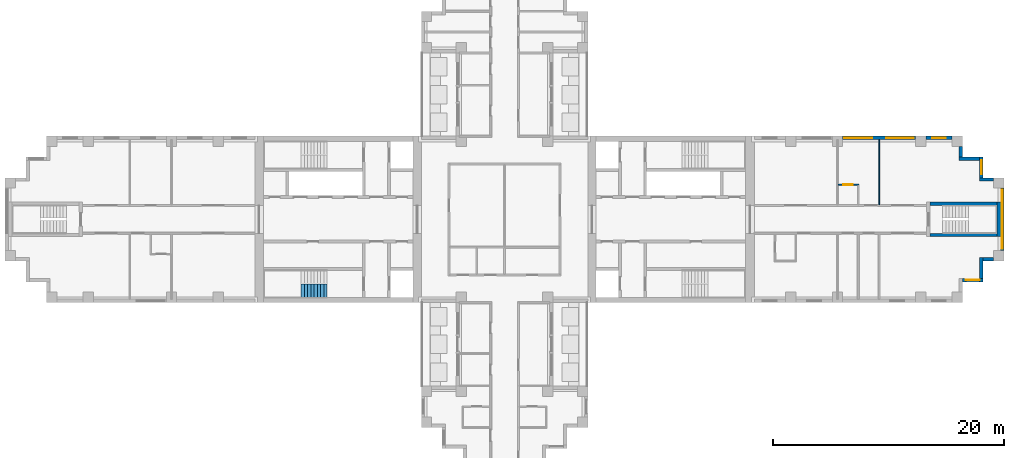
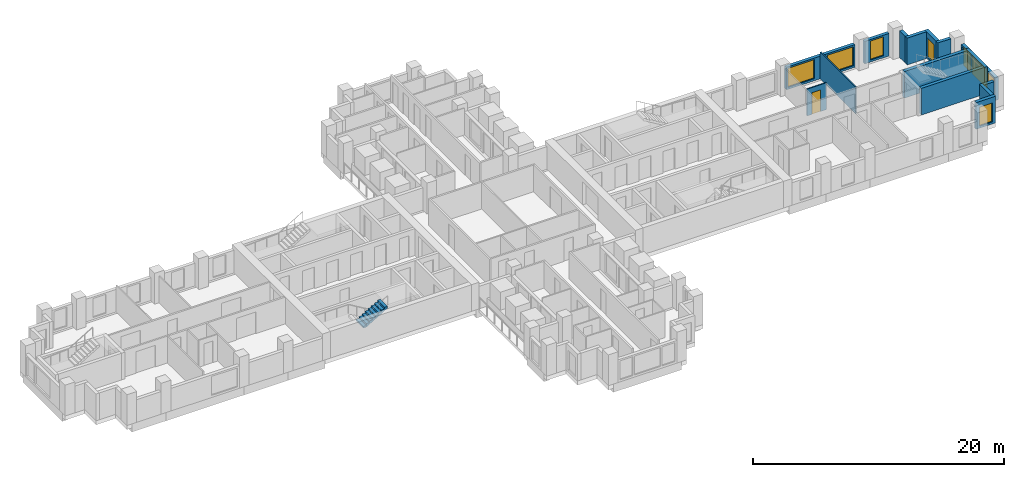
# One storey, part 9 of 12: 15 walls, 8 windows, 1 door, 1 stair flight, 9 openings, 1 element without a shape of its own.
"""IFC4 building model written with IfcOpenShell, lengths in metres."""

from ifc_helpers import new_model, si_unit, direction, frame, frame_2d, origin, place, context, subcontext, project, spatial, polyline, rectangle, outline, extrude, material, layer, layer_set, type_object, element, fill, aggregate, save


model = new_model("IFC4")

# Units and contexts
model_context = context("Model", 3, precision=1e-05, world=origin(), true_north=direction((0.0, 1.0)))
body_context = subcontext(model_context, "Body", "Model", "MODEL_VIEW")
ifc_project = project(units=[si_unit("LENGTHUNIT", "METRE"), si_unit("AREAUNIT", "SQUARE_METRE"), si_unit("VOLUMEUNIT", "CUBIC_METRE"), si_unit("PLANEANGLEUNIT", "RADIAN"), si_unit("MASSUNIT", "GRAM", prefix="KILO")], contexts=[model_context])

# Site, building, storey
site_placement = place(None, origin())
site = spatial("IfcSite", under=ifc_project, at=site_placement, CompositionType="ELEMENT")
building_placement = place(site_placement, origin())
building = spatial("IfcBuilding", under=site, at=building_placement, Name="Fustian Cross Tower", CompositionType="ELEMENT")
storey_placement = place(building_placement, frame((0.0, 0.0, 156.300048828125)))
storey = spatial("IfcBuildingStorey", under=building, at=storey_placement, Name="L49", CompositionType="ELEMENT", Elevation=156.300048828125)

# Wall, opening, door
ifc_material_1 = material(Name="Plasterboard on steel stud", Category="steel")
ifc_layer_1 = layer(ifc_material_1, 0.10009765625)
ifc_layer_set_1 = layer_set([ifc_layer_1], Name="Plasterboard on steel stud")
wall_type_1 = type_object("IfcWallType", Name="PARTITION 100 STUD", PredefinedType="PARTITIONING", material=ifc_layer_set_1)
wall_1_placement = place(storey_placement, frame((28.862548828125, 3.0, 0.0), z_axis=(0.0, 0.0, 1.0), x_axis=(1.0, 0.0, 0.0)))
wall_1 = element("IfcWall", 1, at=wall_1_placement, inside=storey, type_object=wall_type_1, Name="Partition 53", PredefinedType="PARTITIONING", context=body_context, shape_type="SweptSolid", body=[
    extrude(rectangle(XDim=1.787353515625, YDim=0.10009765625, at=frame_2d((0.8935546875, 0.0))), origin(), (0.0, 0.0, 1.0), 2.599853515625),
])
opening_1_placement = place(wall_1_placement, frame((0.4375, 0.0, 0.0)))
opening_1 = element("IfcOpeningElement", 2, at=opening_1_placement, cuts=wall_1, Name="Opening D22007", PredefinedType="OPENING", context=body_context, shape_type="SweptSolid", body=[
    extrude(rectangle(XDim=0.800048828125, YDim=2.10009765625, at=frame_2d((0.39990234375, 1.050048828125))), frame((0.0, 0.06005859375, 0.0), z_axis=(0.0, -1.0, 0.0), x_axis=(1.0, 0.0, 0.0)), (0.0, 0.0, 1.0), 0.1201171875),
])
ifc_material_2 = material(Name="Painted timber", Category="wood")
door_type = type_object("IfcDoorType", Name="SWING DOOR 800", OperationType="SINGLE_SWING_LEFT", PredefinedType="DOOR", material=ifc_material_2)
door_placement = place(opening_1_placement, frame((0.800048828125, 0.0, 0.0), z_axis=(0.0, 0.0, 1.0), x_axis=(-1.0, 0.0, 0.0)))
door = element("IfcDoor", 3, at=door_placement, inside=storey, type_object=door_type, Name="Door D22007", OperationType="SINGLE_SWING_LEFT", OverallHeight=2.10009765625, OverallWidth=0.800048828125, PredefinedType="DOOR", context=body_context, shape_type="SweptSolid", body=[
    extrude(rectangle(XDim=0.800048828125, YDim=2.10009765625, at=frame_2d((0.39990234375, 1.050048828125))), frame((0.0, 0.02490234375, 0.0), z_axis=(0.0, -1.0, 0.0), x_axis=(1.0, 0.0, 0.0)), (0.0, 0.0, 1.0), 0.050048828125),
])
fill(opening_1, door)

# Walls
wall_2_placement = place(storey_placement, frame((32.39990234375, 1.27490234375, 0.0), z_axis=(0.0, 0.0, 1.0), x_axis=(0.0, 1.0, 0.0)))
element("IfcWall", 4, at=wall_2_placement, inside=storey, type_object=wall_type_1, Name="Partition 57", PredefinedType="PARTITIONING", context=body_context, shape_type="SweptSolid", body=[
    extrude(rectangle(XDim=5.625, YDim=0.10009765625, at=frame_2d((2.8125, 0.0))), origin(), (0.0, 0.0, 1.0), 2.599853515625),
])
ifc_material_3 = material(Name="Concrete C50/60", Category="concrete")
ifc_layer_2 = layer(ifc_material_3, 0.300048828125)
ifc_layer_set_2 = layer_set([ifc_layer_2], Name="Concrete C50/60")
wall_type_2 = type_object("IfcWallType", Name="STAIR ENCLOSURE WALL 300 C50/60", PredefinedType="SHEAR", material=ifc_layer_set_2)
wall_3_placement = place(storey_placement, frame((42.75, -1.5, 0.0), z_axis=(0.0, 0.0, 1.0), x_axis=(0.0, 1.0, 0.0)))
element("IfcWall", 5, at=wall_3_placement, inside=storey, type_object=wall_type_2, Name="Stair enclosure wall", PredefinedType="SHEAR", context=body_context, shape_type="SweptSolid", body=[
    extrude(rectangle(XDim=3.0, YDim=0.300048828125, at=frame_2d((1.5, 0.0))), origin(), (0.0, 0.0, 1.0), 2.599853515625),
])
for number, where, z_axis, x_axis, name in (
    (6, (36.800048828125, -1.35009765625, 0.0), (0.0, 0.0, 1.0), (1.0, 0.0, 0.0), "Stair enclosure wall"),
    (7, (36.800048828125, 1.35009765625, 0.0), (0.0, 0.0, 1.0), (1.0, 0.0, 0.0), "Stair enclosure wall"),
):
    element("IfcWall", number, at=place(storey_placement, frame(where, z_axis=z_axis, x_axis=x_axis)), inside=storey, type_object=wall_type_2, Name=name, PredefinedType="SHEAR", context=body_context, shape_type="SweptSolid", body=[
        extrude(rectangle(XDim=5.800048828125, YDim=0.300048828125, at=frame_2d((2.89990234375, 0.0))), origin(), (0.0, 0.0, 1.0), 2.599853515625),
    ])

# Wall, opening, window
ifc_material_4 = material(Name="Dark aluminium cladding on insulated backing wall", Category="aluminium")
ifc_layer_3 = layer(ifc_material_4, 0.300048828125)
ifc_layer_set_3 = layer_set([ifc_layer_3], Name="Dark aluminium cladding on insulated backing wall")
wall_type_3 = type_object("IfcWallType", Name="XW1 EXTERNAL WALL 300", PredefinedType="SOLIDWALL", material=ifc_layer_set_3)
wall_4_placement = place(storey_placement, frame((39.60009765625, -5.25, 0.0), z_axis=(0.0, 0.0, 1.0), x_axis=(1.0, 0.0, 0.0)))
wall_4 = element("IfcWall", 8, at=wall_4_placement, inside=storey, type_object=wall_type_3, Name="External wall", PredefinedType="SOLIDWALL", context=body_context, shape_type="SweptSolid", body=[
    extrude(rectangle(XDim=1.7998046875, YDim=0.300048828125, at=frame_2d((0.89990234375, 0.0))), origin(), (0.0, 0.0, 1.0), 2.599853515625),
])
opening_2_placement = place(wall_4_placement, frame((0.300048828125, 0.0, 0.199951171875)))
opening_2 = element("IfcOpeningElement", 9, at=opening_2_placement, cuts=wall_4, Name="Opening WN3", PredefinedType="OPENING", context=body_context, shape_type="SweptSolid", body=[
    extrude(rectangle(XDim=1.199951171875, YDim=1.85009765625, at=frame_2d((0.60009765625, 0.925048828125))), frame((0.0, 0.159912109375, 0.0), z_axis=(0.0, -1.0, 0.0), x_axis=(1.0, 0.0, 0.0)), (0.0, 0.0, 1.0), 0.320068359375),
])
ifc_material_5 = material(Name="Dark anodised aluminium and double glazing", Category="aluminium")
window_type_1 = type_object("IfcWindowType", Name="WN3 WINDOW 1200X1850", PartitioningType="SINGLE_PANEL", PredefinedType="WINDOW", material=ifc_material_5)
window_1_placement = place(opening_2_placement, origin())
window_1 = element("IfcWindow", 10, at=window_1_placement, inside=storey, type_object=window_type_1, Name="Window", OverallHeight=1.85009765625, OverallWidth=1.199951171875, PartitioningType="SINGLE_PANEL", PredefinedType="WINDOW", context=body_context, shape_type="SweptSolid", body=[
    extrude(rectangle(XDim=1.199951171875, YDim=1.85009765625, at=frame_2d((0.60009765625, 0.925048828125))), frame((0.0, 0.030029296875, 0.0), z_axis=(0.0, -1.0, 0.0), x_axis=(1.0, 0.0, 0.0)), (0.0, 0.0, 1.0), 0.06005859375),
])
fill(opening_2, window_1)

# Walls
wall_5_placement = place(storey_placement, frame((41.25, -5.10009765625, 0.0), z_axis=(0.0, 0.0, 1.0), x_axis=(0.0, 1.0, 0.0)))
element("IfcWall", 11, at=wall_5_placement, inside=storey, type_object=wall_type_3, Name="External wall", PredefinedType="SOLIDWALL", context=body_context, shape_type="SweptSolid", body=[
    extrude(rectangle(XDim=1.800048828125, YDim=0.300048828125, at=frame_2d((0.89990234375, 0.0))), origin(), (0.0, 0.0, 1.0), 2.599853515625),
])
wall_6_placement = place(storey_placement, frame((41.39990234375, -3.449951171875, 0.0), z_axis=(0.0, 0.0, 1.0), x_axis=(1.0, 0.0, 0.0)))
element("IfcWall", 12, at=wall_6_placement, inside=storey, type_object=wall_type_3, Name="External wall", PredefinedType="SOLIDWALL", context=body_context, shape_type="SweptSolid", body=[
    extrude(rectangle(XDim=0.900146484375, YDim=0.300048828125, at=frame_2d((0.4501953125, 0.0))), origin(), (0.0, 0.0, 1.0), 2.599853515625),
])

# Wall, openings, windows
wall_7_placement = place(storey_placement, frame((43.050048828125, -2.699951171875, 0.0), z_axis=(0.0, 0.0, 1.0), x_axis=(0.0, 1.0, 0.0)))
wall_7 = element("IfcWall", 13, at=wall_7_placement, inside=storey, type_object=wall_type_3, Name="External wall", PredefinedType="SOLIDWALL", context=body_context, shape_type="SweptSolid", body=[
    extrude(rectangle(XDim=5.39990234375, YDim=0.300048828125, at=frame_2d((2.699951171875, 0.0))), origin(), (0.0, 0.0, 1.0), 2.199951171875),
])
opening_3_placement = place(wall_7_placement, frame((1.5, 0.0, 0.199951171875)))
opening_3 = element("IfcOpeningElement", 14, at=opening_3_placement, cuts=wall_7, Name="Opening WN1", PredefinedType="OPENING", context=body_context, shape_type="SweptSolid", body=[
    extrude(rectangle(XDim=2.39990234375, YDim=1.85009765625, at=frame_2d((1.199951171875, 0.925048828125))), frame((0.0, 0.159912109375, 0.0), z_axis=(0.0, -1.0, 0.0), x_axis=(1.0, 0.0, 0.0)), (0.0, 0.0, 1.0), 0.320068359375),
])
opening_4_placement = place(wall_7_placement, frame((0.14990234375, 0.0, 0.199951171875)))
opening_4 = element("IfcOpeningElement", 15, at=opening_4_placement, cuts=wall_7, Name="Opening WN3", PredefinedType="OPENING", context=body_context, shape_type="SweptSolid", body=[
    extrude(rectangle(XDim=1.199951171875, YDim=1.85009765625, at=frame_2d((0.60009765625, 0.925048828125))), frame((0.0, 0.159912109375, 0.0), z_axis=(0.0, -1.0, 0.0), x_axis=(1.0, 0.0, 0.0)), (0.0, 0.0, 1.0), 0.320068359375),
])
opening_5_placement = place(wall_7_placement, frame((4.050048828125, 0.0, 0.199951171875)))
opening_5 = element("IfcOpeningElement", 16, at=opening_5_placement, cuts=wall_7, Name="Opening WN3", PredefinedType="OPENING", context=body_context, shape_type="SweptSolid", body=[
    extrude(rectangle(XDim=1.199951171875, YDim=1.85009765625, at=frame_2d((0.60009765625, 0.925048828125))), frame((0.0, 0.159912109375, 0.0), z_axis=(0.0, -1.0, 0.0), x_axis=(1.0, 0.0, 0.0)), (0.0, 0.0, 1.0), 0.320068359375),
])
ifc_material_6 = material(Name="Dark anodised aluminium and double glazing", Category="aluminium")
window_type_2 = type_object("IfcWindowType", Name="WN1 WINDOW 2400X1850", PartitioningType="SINGLE_PANEL", PredefinedType="WINDOW", material=ifc_material_6)
window_2_placement = place(opening_3_placement, origin())
window_2 = element("IfcWindow", 17, at=window_2_placement, inside=storey, type_object=window_type_2, Name="Window", OverallHeight=1.85009765625, OverallWidth=2.39990234375, PartitioningType="SINGLE_PANEL", PredefinedType="WINDOW", context=body_context, shape_type="SweptSolid", body=[
    extrude(rectangle(XDim=2.39990234375, YDim=1.85009765625, at=frame_2d((1.199951171875, 0.925048828125))), frame((0.0, 0.030029296875, 0.0), z_axis=(0.0, -1.0, 0.0), x_axis=(1.0, 0.0, 0.0)), (0.0, 0.0, 1.0), 0.06005859375),
])
fill(opening_3, window_2)
window_3_placement = place(opening_4_placement, origin())
window_3 = element("IfcWindow", 18, at=window_3_placement, inside=storey, type_object=window_type_1, Name="Window", OverallHeight=1.85009765625, OverallWidth=1.199951171875, PartitioningType="SINGLE_PANEL", PredefinedType="WINDOW", context=body_context, shape_type="SweptSolid", body=[
    extrude(rectangle(XDim=1.199951171875, YDim=1.85009765625, at=frame_2d((0.60009765625, 0.925048828125))), frame((0.0, 0.030029296875, 0.0), z_axis=(0.0, -1.0, 0.0), x_axis=(1.0, 0.0, 0.0)), (0.0, 0.0, 1.0), 0.06005859375),
])
fill(opening_4, window_3)
window_4_placement = place(opening_5_placement, origin())
window_4 = element("IfcWindow", 19, at=window_4_placement, inside=storey, type_object=window_type_1, Name="Window", OverallHeight=1.85009765625, OverallWidth=1.199951171875, PartitioningType="SINGLE_PANEL", PredefinedType="WINDOW", context=body_context, shape_type="SweptSolid", body=[
    extrude(rectangle(XDim=1.199951171875, YDim=1.85009765625, at=frame_2d((0.60009765625, 0.925048828125))), frame((0.0, 0.030029296875, 0.0), z_axis=(0.0, -1.0, 0.0), x_axis=(1.0, 0.0, 0.0)), (0.0, 0.0, 1.0), 0.06005859375),
])
fill(opening_5, window_4)

# Wall
wall_8_placement = place(storey_placement, frame((42.300048828125, 3.449951171875, 0.0), z_axis=(0.0, 0.0, 1.0), x_axis=(-1.0, 0.0, 0.0)))
element("IfcWall", 20, at=wall_8_placement, inside=storey, type_object=wall_type_3, Name="External wall", PredefinedType="SOLIDWALL", context=body_context, shape_type="SweptSolid", body=[
    extrude(rectangle(XDim=1.199951171875, YDim=0.300048828125, at=frame_2d((0.60009765625, 0.0))), origin(), (0.0, 0.0, 1.0), 2.599853515625),
])

# Wall, opening, window
wall_9_placement = place(storey_placement, frame((41.25, 3.60009765625, 0.0), z_axis=(0.0, 0.0, 1.0), x_axis=(0.0, 1.0, 0.0)))
wall_9 = element("IfcWall", 21, at=wall_9_placement, inside=storey, type_object=wall_type_3, Name="External wall", PredefinedType="SOLIDWALL", context=body_context, shape_type="SweptSolid", body=[
    extrude(rectangle(XDim=1.7998046875, YDim=0.300048828125, at=frame_2d((0.89990234375, 0.0))), origin(), (0.0, 0.0, 1.0), 2.599853515625),
])
opening_6_placement = place(wall_9_placement, frame((0.300048828125, 0.0, 0.199951171875)))
opening_6 = element("IfcOpeningElement", 22, at=opening_6_placement, cuts=wall_9, Name="Opening WN3", PredefinedType="OPENING", context=body_context, shape_type="SweptSolid", body=[
    extrude(rectangle(XDim=1.199951171875, YDim=1.85009765625, at=frame_2d((0.60009765625, 0.925048828125))), frame((0.0, 0.159912109375, 0.0), z_axis=(0.0, -1.0, 0.0), x_axis=(1.0, 0.0, 0.0)), (0.0, 0.0, 1.0), 0.320068359375),
])
window_5_placement = place(opening_6_placement, origin())
window_5 = element("IfcWindow", 23, at=window_5_placement, inside=storey, type_object=window_type_1, Name="Window", OverallHeight=1.85009765625, OverallWidth=1.199951171875, PartitioningType="SINGLE_PANEL", PredefinedType="WINDOW", context=body_context, shape_type="SweptSolid", body=[
    extrude(rectangle(XDim=1.199951171875, YDim=1.85009765625, at=frame_2d((0.60009765625, 0.925048828125))), frame((0.0, 0.030029296875, 0.0), z_axis=(0.0, -1.0, 0.0), x_axis=(1.0, 0.0, 0.0)), (0.0, 0.0, 1.0), 0.06005859375),
])
fill(opening_6, window_5)

# Walls
wall_10_placement = place(storey_placement, frame((41.10009765625, 5.25, 0.0), z_axis=(0.0, 0.0, 1.0), x_axis=(-1.0, 0.0, 0.0)))
element("IfcWall", 24, at=wall_10_placement, inside=storey, type_object=wall_type_3, Name="External wall", PredefinedType="SOLIDWALL", context=body_context, shape_type="SweptSolid", body=[
    extrude(rectangle(XDim=1.800048828125, YDim=0.300048828125, at=frame_2d((0.89990234375, 0.0))), origin(), (0.0, 0.0, 1.0), 2.599853515625),
])
wall_11_placement = place(storey_placement, frame((39.449951171875, 5.39990234375, 0.0), z_axis=(0.0, 0.0, 1.0), x_axis=(0.0, 1.0, 0.0)))
element("IfcWall", 25, at=wall_11_placement, inside=storey, type_object=wall_type_3, Name="External wall", PredefinedType="SOLIDWALL", context=body_context, shape_type="SweptSolid", body=[
    extrude(rectangle(XDim=0.900146484375, YDim=0.300048828125, at=frame_2d((0.4501953125, 0.0))), origin(), (0.0, 0.0, 1.0), 2.599853515625),
])

# Wall, opening, window
wall_12_placement = place(storey_placement, frame((38.699951171875, 7.050048828125, 0.0), z_axis=(0.0, 0.0, 1.0), x_axis=(-1.0, 0.0, 0.0)))
wall_12 = element("IfcWall", 26, at=wall_12_placement, inside=storey, type_object=wall_type_3, Name="External wall", PredefinedType="SOLIDWALL", context=body_context, shape_type="SweptSolid", body=[
    extrude(rectangle(XDim=2.25, YDim=0.300048828125, at=frame_2d((1.125, 0.0))), origin(), (0.0, 0.0, 1.0), 2.199951171875),
])
opening_7_placement = place(wall_12_placement, frame((0.52490234375, 0.0, 0.199951171875)))
opening_7 = element("IfcOpeningElement", 27, at=opening_7_placement, cuts=wall_12, Name="Opening WN3", PredefinedType="OPENING", context=body_context, shape_type="SweptSolid", body=[
    extrude(rectangle(XDim=1.199951171875, YDim=1.85009765625, at=frame_2d((0.60009765625, 0.925048828125))), frame((0.0, 0.159912109375, 0.0), z_axis=(0.0, -1.0, 0.0), x_axis=(1.0, 0.0, 0.0)), (0.0, 0.0, 1.0), 0.320068359375),
])
window_6_placement = place(opening_7_placement, origin())
window_6 = element("IfcWindow", 28, at=window_6_placement, inside=storey, type_object=window_type_1, Name="Window", OverallHeight=1.85009765625, OverallWidth=1.199951171875, PartitioningType="SINGLE_PANEL", PredefinedType="WINDOW", context=body_context, shape_type="SweptSolid", body=[
    extrude(rectangle(XDim=1.199951171875, YDim=1.85009765625, at=frame_2d((0.60009765625, 0.925048828125))), frame((0.0, 0.030029296875, 0.0), z_axis=(0.0, -1.0, 0.0), x_axis=(1.0, 0.0, 0.0)), (0.0, 0.0, 1.0), 0.06005859375),
])
fill(opening_7, window_6)

# Wall, openings, windows
wall_13_placement = place(storey_placement, frame((35.550048828125, 7.050048828125, 0.0), z_axis=(0.0, 0.0, 1.0), x_axis=(-1.0, 0.0, 0.0)))
wall_13 = element("IfcWall", 29, at=wall_13_placement, inside=storey, type_object=wall_type_3, Name="External wall", PredefinedType="SOLIDWALL", context=body_context, shape_type="SweptSolid", body=[
    extrude(rectangle(XDim=6.300048828125, YDim=0.300048828125, at=frame_2d((3.14990234375, 0.0))), origin(), (0.0, 0.0, 1.0), 2.199951171875),
])
opening_8_placement = place(wall_13_placement, frame((0.14990234375, 0.0, 0.199951171875)))
opening_8 = element("IfcOpeningElement", 30, at=opening_8_placement, cuts=wall_13, Name="Opening WN1", PredefinedType="OPENING", context=body_context, shape_type="SweptSolid", body=[
    extrude(rectangle(XDim=2.39990234375, YDim=1.85009765625, at=frame_2d((1.199951171875, 0.925048828125))), frame((0.0, 0.159912109375, 0.0), z_axis=(0.0, -1.0, 0.0), x_axis=(1.0, 0.0, 0.0)), (0.0, 0.0, 1.0), 0.320068359375),
])
opening_9_placement = place(wall_13_placement, frame((3.75, 0.0, 0.199951171875)))
opening_9 = element("IfcOpeningElement", 31, at=opening_9_placement, cuts=wall_13, Name="Opening WN1", PredefinedType="OPENING", context=body_context, shape_type="SweptSolid", body=[
    extrude(rectangle(XDim=2.39990234375, YDim=1.85009765625, at=frame_2d((1.199951171875, 0.925048828125))), frame((0.0, 0.159912109375, 0.0), z_axis=(0.0, -1.0, 0.0), x_axis=(1.0, 0.0, 0.0)), (0.0, 0.0, 1.0), 0.320068359375),
])
window_7_placement = place(opening_8_placement, origin())
window_7 = element("IfcWindow", 32, at=window_7_placement, inside=storey, type_object=window_type_2, Name="Window", OverallHeight=1.85009765625, OverallWidth=2.39990234375, PartitioningType="SINGLE_PANEL", PredefinedType="WINDOW", context=body_context, shape_type="SweptSolid", body=[
    extrude(rectangle(XDim=2.39990234375, YDim=1.85009765625, at=frame_2d((1.199951171875, 0.925048828125))), frame((0.0, 0.030029296875, 0.0), z_axis=(0.0, -1.0, 0.0), x_axis=(1.0, 0.0, 0.0)), (0.0, 0.0, 1.0), 0.06005859375),
])
fill(opening_8, window_7)
window_8_placement = place(opening_9_placement, origin())
window_8 = element("IfcWindow", 33, at=window_8_placement, inside=storey, type_object=window_type_2, Name="Window", OverallHeight=1.85009765625, OverallWidth=2.39990234375, PartitioningType="SINGLE_PANEL", PredefinedType="WINDOW", context=body_context, shape_type="SweptSolid", body=[
    extrude(rectangle(XDim=2.39990234375, YDim=1.85009765625, at=frame_2d((1.199951171875, 0.925048828125))), frame((0.0, 0.030029296875, 0.0), z_axis=(0.0, -1.0, 0.0), x_axis=(1.0, 0.0, 0.0)), (0.0, 0.0, 1.0), 0.06005859375),
])
fill(opening_9, window_8)

# Stair, stair flight
ifc_material_7 = material(Name="Concrete C50/60", Category="concrete")
stair_type = type_object("IfcStairType", Name="STAIR 1150 HALF TURN", PredefinedType="HALF_TURN_STAIR", material=ifc_material_7)
stair_placement = place(storey_placement, origin())
stair = element("IfcStair", 34, at=stair_placement, inside=storey, type_object=stair_type, Name="Stair ST4", PredefinedType="HALF_TURN_STAIR")
ifc_material_8 = material(Name="Concrete C50/60", Category="concrete")
stair_flight_type = type_object("IfcStairFlightType", Name="STAIR FLIGHT 1150", PredefinedType="STRAIGHT", material=ifc_material_8)
stair_flight_placement = place(storey_placement, frame((-17.590087890625, -6.175048828125, 1.5), z_axis=(0.0, 0.0, 1.0), x_axis=(1.0, 0.0, 0.0)))
stair_flight = element("IfcStairFlight", 35, at=stair_flight_placement, type_object=stair_flight_type, Name="ST4 flight 2", NumberOfRisers=9, NumberOfTreads=8, PredefinedType="STRAIGHT", RiserHeight=0.166666667, TreadLength=0.28, context=body_context, shape_type="SweptSolid", body=[
    extrude(outline(polyline([(0.0, 0.0), (0.0, 0.166748046875), (0.280029296875, 0.166748046875), (0.280029296875, 0.333251953125), (0.56005859375, 0.333251953125), (0.56005859375, 0.5), (0.840087890625, 0.5), (0.840087890625, 0.666748046875), (1.1201171875, 0.666748046875), (1.1201171875, 0.833251953125), (1.39990234375, 0.833251953125), (1.39990234375, 1.0), (1.679931640625, 1.0), (1.679931640625, 1.166748046875), (1.9599609375, 1.166748046875), (1.9599609375, 1.333251953125), (2.239990234375, 1.333251953125), (2.239990234375, 1.5), (2.239990234375, 1.158935546875), (0.29296875, 0.0), (0.0, 0.0)])), frame((0.0, 0.574951171875, 0.0), z_axis=(0.0, -1.0, 0.0), x_axis=(1.0, 0.0, 0.0)), (0.0, 0.0, 1.0), 1.14990234375),
])
aggregate(stair, [stair_flight])

save(model, "model.ifc")
